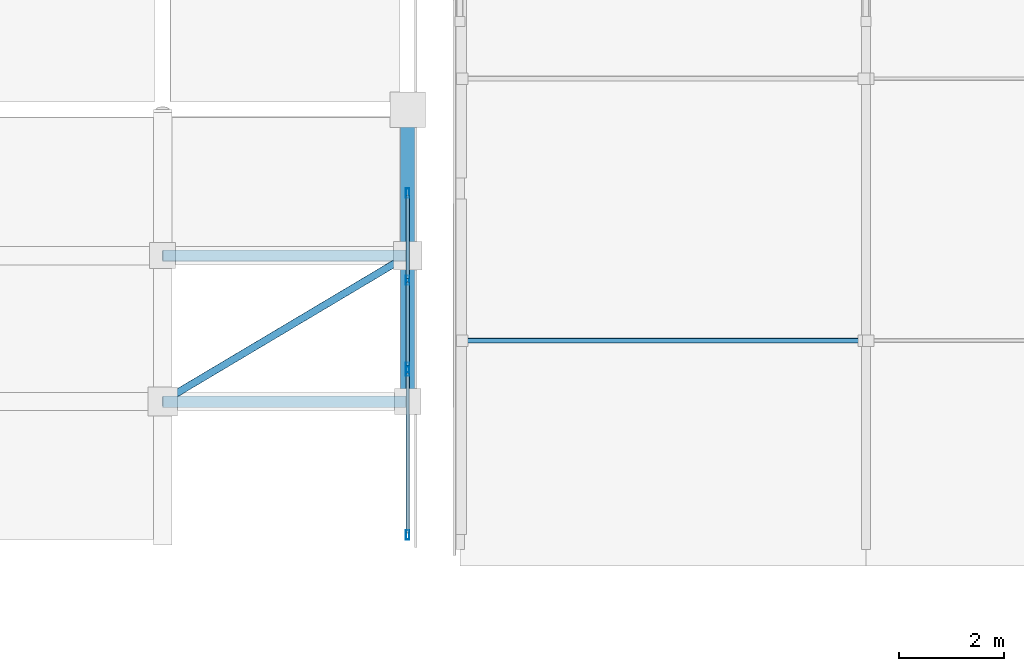
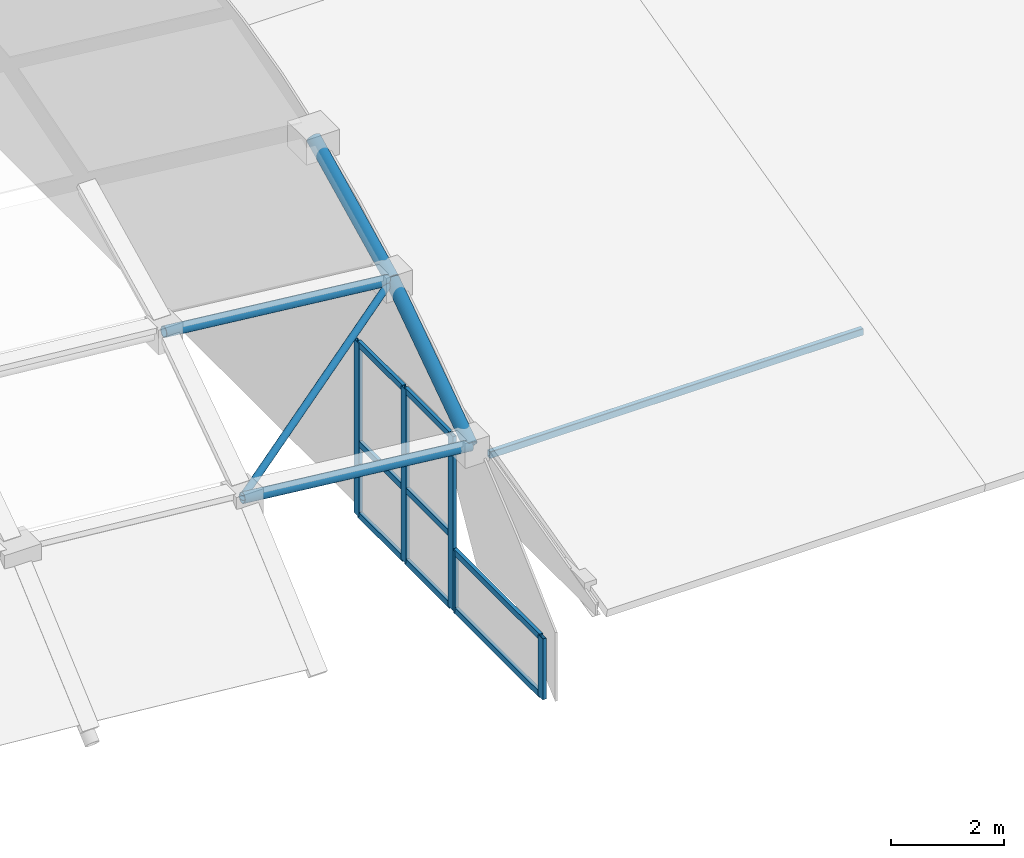
# One storey, part 29 of 65: 17 members, 2 beams, 2 elements without a shape of their own.
"""IFC4 building model written with IfcOpenShell, lengths in metres."""

from ifc_helpers import new_model, si_unit, direction, frame, origin, origin_2d, place, context, subcontext, project, spatial, hollow_rectangle, hollow_circle, extrude, material, layer, layer_set, material_profile, profile_set, type_object, element, aggregate, save


model = new_model("IFC4")

# Units and contexts
model_context = context("Model", 3, precision=1e-05, world=origin(), true_north=direction((0.0, 1.0)))
body_context = subcontext(model_context, "Body", "Model", "MODEL_VIEW")
ifc_project = project(units=[si_unit("LENGTHUNIT", "METRE"), si_unit("AREAUNIT", "SQUARE_METRE"), si_unit("VOLUMEUNIT", "CUBIC_METRE"), si_unit("PLANEANGLEUNIT", "RADIAN"), si_unit("MASSUNIT", "GRAM", prefix="KILO")], contexts=[model_context])

# Site, building, storey
site_placement = place(None, origin())
site = spatial("IfcSite", under=ifc_project, at=site_placement, CompositionType="ELEMENT")
building_placement = place(site_placement, origin())
building = spatial("IfcBuilding", under=site, at=building_placement, Name="Quillay Park Conservatory", CompositionType="ELEMENT")
storey_placement = place(building_placement, frame((0.0, 0.0, 14.10009765625)))
storey = spatial("IfcBuildingStorey", under=building, at=storey_placement, Name="L03", CompositionType="ELEMENT", Elevation=14.10009765625)

# Curtain wall, members
ifc_material_1 = material(Name="Thermally Broken Anodised Aluminium 6063-T6", Category="aluminium")
ifc_layer = layer(ifc_material_1, 0.219970703125)
ifc_layer_set = layer_set([ifc_layer], Name="UNITISED CURTAIN WALL CONSERVATORY (Thermally Broken Anodised Aluminium 6063-T6)")
curtain_wall_type = type_object("IfcCurtainWallType", Name="UNITISED CURTAIN WALL CONSERVATORY", PredefinedType="USERDEFINED", material=ifc_layer_set)
curtain_wall_1_placement = place(storey_placement, origin())
curtain_wall_1 = element("IfcCurtainWall", 1, at=curtain_wall_1_placement, inside=storey, type_object=curtain_wall_type, Name="L03 Unitised Curtain Wall 176", ObjectType="UNITISED CURTAIN WALL", PredefinedType="USERDEFINED")
ifc_material_2 = material(Name="Thermally Broken Anodised Aluminium 6063-T6", Category="aluminium")
ifc_material_profile_1 = material_profile(ifc_material_2, hollow_rectangle(XDim=0.070068359375, YDim=0.179931640625, WallThickness=0.00390625, at=origin_2d()), Name="AL70x180x4")
ifc_profile_set_1 = profile_set([ifc_material_profile_1], Name="Thermally Broken Anodised Aluminium 6063-T6")
member_type_1 = type_object("IfcMemberType", Name="CURTAIN WALL MULLION 70 X180", PredefinedType="MULLION", material=ifc_profile_set_1)
member_1_placement = place(storey_placement, frame((114.85009765625, 88.9150390625, -3.2001953125), z_axis=(0.0, 0.0, 1.0), x_axis=(1.0, 0.0, 0.0)))
member_1 = element("IfcMember", 2, at=member_1_placement, type_object=member_type_1, Name="CW-C1 mullion 1", PredefinedType="MULLION", context=body_context, shape_type="SweptSolid", body=[
    extrude(hollow_rectangle(XDim=0.070068359375, YDim=0.179931640625, WallThickness=0.00390625, at=origin_2d()), origin(), (0.0, 0.0, 1.0), 1.318115234375),
])
member_2_placement = place(storey_placement, frame((114.85009765625, 85.7900390625, -3.2001953125), z_axis=(0.0, 0.0, 1.0), x_axis=(1.0, 0.0, 0.0)))
member_2 = element("IfcMember", 3, at=member_2_placement, type_object=member_type_1, Name="CW-C1 mullion 2", PredefinedType="MULLION", context=body_context, shape_type="SweptSolid", body=[
    extrude(hollow_rectangle(XDim=0.070068359375, YDim=0.179931640625, WallThickness=0.00390625, at=origin_2d()), origin(), (0.0, 0.0, 1.0), 1.318115234375),
])

curtain_wall_2_placement = place(storey_placement, origin())
curtain_wall_2 = element("IfcCurtainWall", 4, at=curtain_wall_2_placement, inside=storey, type_object=curtain_wall_type, Name="L03 Unitised Curtain Wall 178", ObjectType="UNITISED CURTAIN WALL", PredefinedType="USERDEFINED")
member_3_placement = place(storey_placement, frame((114.85009765625, 92.31494140625, -3.2001953125), z_axis=(0.0, 0.0, 1.0), x_axis=(1.0, 0.0, 0.0)))
member_3 = element("IfcMember", 5, at=member_3_placement, type_object=member_type_1, Name="CW-C1 mullion 1", PredefinedType="MULLION", context=body_context, shape_type="SweptSolid", body=[
    extrude(hollow_rectangle(XDim=0.070068359375, YDim=0.179931640625, WallThickness=0.00390625, at=origin_2d()), origin(), (0.0, 0.0, 1.0), 3.76318359375),
])
member_4_placement = place(storey_placement, frame((114.85009765625, 90.64990234375, -3.2001953125), z_axis=(0.0, 0.0, 1.0), x_axis=(1.0, 0.0, 0.0)))
member_4 = element("IfcMember", 6, at=member_4_placement, type_object=member_type_1, Name="CW-C1 mullion 2", PredefinedType="MULLION", context=body_context, shape_type="SweptSolid", body=[
    extrude(hollow_rectangle(XDim=0.070068359375, YDim=0.179931640625, WallThickness=0.00390625, at=origin_2d()), origin(), (0.0, 0.0, 1.0), 3.76318359375),
])
member_5_placement = place(storey_placement, frame((114.85009765625, 88.985107421875, -3.2001953125), z_axis=(0.0, 0.0, 1.0), x_axis=(1.0, 0.0, 0.0)))
member_5 = element("IfcMember", 7, at=member_5_placement, type_object=member_type_1, Name="CW-C1 mullion 3", PredefinedType="MULLION", context=body_context, shape_type="SweptSolid", body=[
    extrude(hollow_rectangle(XDim=0.070068359375, YDim=0.179931640625, WallThickness=0.00390625, at=origin_2d()), origin(), (0.0, 0.0, 1.0), 3.76318359375),
])

# Member
ifc_material_3 = material(Name="Thermally Broken Anodised Aluminium 6063-T6", Category="aluminium")
ifc_material_profile_2 = material_profile(ifc_material_3, hollow_rectangle(XDim=0.070068359375, YDim=0.1298828125, WallThickness=0.003173828125, at=origin_2d()), Name="AL70x130x3.2")
ifc_profile_set_2 = profile_set([ifc_material_profile_2], Name="Thermally Broken Anodised Aluminium 6063-T6")
member_type_2 = type_object("IfcMemberType", Name="CURTAIN WALL TRANSOM 70 X130", PredefinedType="USERDEFINED", material=ifc_profile_set_2)
member_6_placement = place(storey_placement, frame((114.85009765625, 88.8798828125, -3.1650390625), z_axis=(0.0, -1.0, 0.0), x_axis=(1.0, 0.0, 0.0)))
member_6 = element("IfcMember", 8, at=member_6_placement, type_object=member_type_2, Name="CW-C1 transom 1.1", ObjectType="TRANSOM", PredefinedType="USERDEFINED", context=body_context, shape_type="SweptSolid", body=[
    extrude(hollow_rectangle(XDim=0.070068359375, YDim=0.1298828125, WallThickness=0.003173828125, at=origin_2d()), origin(), (0.0, 0.0, 1.0), 3.054931640625),
])

member_7_placement = place(storey_placement, frame((114.85009765625, 88.8798828125, -1.917236328125), z_axis=(0.0, -1.0, 0.0), x_axis=(1.0, 0.0, 0.0)))
member_7 = element("IfcMember", 9, at=member_7_placement, type_object=member_type_2, Name="CW-C1 transom 1.2", ObjectType="TRANSOM", PredefinedType="USERDEFINED", context=body_context, shape_type="SweptSolid", body=[
    extrude(hollow_rectangle(XDim=0.070068359375, YDim=0.1298828125, WallThickness=0.003173828125, at=origin_2d()), origin(), (0.0, 0.0, 1.0), 3.054931640625),
])

aggregate(curtain_wall_1, [member_1, member_2, member_6, member_7])

member_8_placement = place(storey_placement, frame((114.85009765625, 92.280029296875, -3.1650390625), z_axis=(0.0, -1.0, 0.0), x_axis=(1.0, 0.0, 0.0)))
member_8 = element("IfcMember", 10, at=member_8_placement, type_object=member_type_2, Name="CW-C1 transom 1.1", ObjectType="TRANSOM", PredefinedType="USERDEFINED", context=body_context, shape_type="SweptSolid", body=[
    extrude(hollow_rectangle(XDim=0.070068359375, YDim=0.1298828125, WallThickness=0.003173828125, at=origin_2d()), origin(), (0.0, 0.0, 1.0), 1.594970703125),
])

member_9_placement = place(storey_placement, frame((114.85009765625, 92.280029296875, -1.61962890625), z_axis=(0.0, -1.0, 0.0), x_axis=(1.0, 0.0, 0.0)))
member_9 = element("IfcMember", 11, at=member_9_placement, type_object=member_type_2, Name="CW-C1 transom 1.2", ObjectType="TRANSOM", PredefinedType="USERDEFINED", context=body_context, shape_type="SweptSolid", body=[
    extrude(hollow_rectangle(XDim=0.070068359375, YDim=0.1298828125, WallThickness=0.003173828125, at=origin_2d()), origin(), (0.0, 0.0, 1.0), 1.594970703125),
])

member_10_placement = place(storey_placement, frame((114.85009765625, 92.280029296875, 0.528076171875), z_axis=(0.0, -1.0, 0.0), x_axis=(1.0, 0.0, 0.0)))
member_10 = element("IfcMember", 12, at=member_10_placement, type_object=member_type_2, Name="CW-C1 transom 1.3", ObjectType="TRANSOM", PredefinedType="USERDEFINED", context=body_context, shape_type="SweptSolid", body=[
    extrude(hollow_rectangle(XDim=0.070068359375, YDim=0.1298828125, WallThickness=0.003173828125, at=origin_2d()), origin(), (0.0, 0.0, 1.0), 1.594970703125),
])

member_11_placement = place(storey_placement, frame((114.85009765625, 90.614990234375, -3.1650390625), z_axis=(0.0, -1.0, 0.0), x_axis=(1.0, 0.0, 0.0)))
member_11 = element("IfcMember", 13, at=member_11_placement, type_object=member_type_2, Name="CW-C1 transom 2.1", ObjectType="TRANSOM", PredefinedType="USERDEFINED", context=body_context, shape_type="SweptSolid", body=[
    extrude(hollow_rectangle(XDim=0.070068359375, YDim=0.1298828125, WallThickness=0.003173828125, at=origin_2d()), origin(), (0.0, 0.0, 1.0), 1.594970703125),
])

member_12_placement = place(storey_placement, frame((114.85009765625, 90.614990234375, -1.61962890625), z_axis=(0.0, -1.0, 0.0), x_axis=(1.0, 0.0, 0.0)))
member_12 = element("IfcMember", 14, at=member_12_placement, type_object=member_type_2, Name="CW-C1 transom 2.2", ObjectType="TRANSOM", PredefinedType="USERDEFINED", context=body_context, shape_type="SweptSolid", body=[
    extrude(hollow_rectangle(XDim=0.070068359375, YDim=0.1298828125, WallThickness=0.003173828125, at=origin_2d()), origin(), (0.0, 0.0, 1.0), 1.594970703125),
])

member_13_placement = place(storey_placement, frame((114.85009765625, 90.614990234375, 0.528076171875), z_axis=(0.0, -1.0, 0.0), x_axis=(1.0, 0.0, 0.0)))
member_13 = element("IfcMember", 15, at=member_13_placement, type_object=member_type_2, Name="CW-C1 transom 2.3", ObjectType="TRANSOM", PredefinedType="USERDEFINED", context=body_context, shape_type="SweptSolid", body=[
    extrude(hollow_rectangle(XDim=0.070068359375, YDim=0.1298828125, WallThickness=0.003173828125, at=origin_2d()), origin(), (0.0, 0.0, 1.0), 1.594970703125),
])

aggregate(curtain_wall_2, [member_3, member_4, member_5, member_8, member_9, member_10, member_11, member_12, member_13])

# Beams
ifc_material_4 = material(Name="Steel S355J2H", Category="steel")
ifc_material_profile_3 = material_profile(ifc_material_4, hollow_circle(Radius=0.136474609375, WallThickness=0.012451171875, at=origin_2d()), Name="CHS273x12.5")
ifc_profile_set_3 = profile_set([ifc_material_profile_3], Name="Steel S355J2H")
beam_type = type_object("IfcBeamType", Name="GRIDSHELL ARCH BEAM CHS273", PredefinedType="USERDEFINED", material=ifc_profile_set_3)
beam_1_placement = place(storey_placement, frame((114.85009765625, 88.3349609375, 0.711181640625), z_axis=(0.0, 0.824682609274, 0.565595786725), x_axis=(-1.0, 0.0, 0.0)))
element("IfcBeam", 16, at=beam_1_placement, inside=storey, type_object=beam_type, Name="Gridshell member GS-ARCH-18-01", ObjectType="GRIDSHELL ARCH BEAM", PredefinedType="USERDEFINED", context=body_context, shape_type="SweptSolid", body=[
    extrude(hollow_circle(Radius=0.136474609375, WallThickness=0.012451171875, at=origin_2d()), origin(), (0.0, 0.0, 1.0), 3.377197265625),
])
beam_2_placement = place(storey_placement, frame((114.85009765625, 91.1201171875, 2.621337890625), z_axis=(0.0, 0.897163004175, 0.441699608262), x_axis=(-1.0, 0.0, 0.0)))
element("IfcBeam", 17, at=beam_2_placement, inside=storey, type_object=beam_type, Name="Gridshell member GS-ARCH-18-02", ObjectType="GRIDSHELL ARCH BEAM", PredefinedType="USERDEFINED", context=body_context, shape_type="SweptSolid", body=[
    extrude(hollow_circle(Radius=0.136474609375, WallThickness=0.012451171875, at=origin_2d()), origin(), (0.0, 0.0, 1.0), 3.104248046875),
])

# Members
ifc_material_5 = material(Name="Steel S355J2H", Category="steel")
ifc_material_profile_4 = material_profile(ifc_material_5, hollow_circle(Radius=0.109619140625, WallThickness=0.010009765625, at=origin_2d()), Name="CHS219.1x10")
ifc_profile_set_4 = profile_set([ifc_material_profile_4], Name="Steel S355J2H")
member_type_3 = type_object("IfcMemberType", Name="GRIDSHELL ARCH RIB CHS219", PredefinedType="USERDEFINED", material=ifc_profile_set_4)
for number, where, z_axis, x_axis, name in (
    (18, (110.172119140625, 88.3349609375, 1.207275390625), (0.994423821707, 0.0, -0.105457398137), (0.0, 1.0, 0.0), "Gridshell member GS-RIB-17-01"),
    (19, (110.172119140625, 91.1201171875, 3.117431640625), (0.994423821707, 0.0, -0.105457398137), (0.0, 1.0, 0.0), "Gridshell member GS-RIB-17-02"),
):
    element("IfcMember", number, at=place(storey_placement, frame(where, z_axis=z_axis, x_axis=x_axis)), inside=storey, type_object=member_type_3, Name=name, ObjectType="GRIDSHELL ARCH RIB", PredefinedType="USERDEFINED", context=body_context, shape_type="SweptSolid", body=[
        extrude(hollow_circle(Radius=0.109619140625, WallThickness=0.010009765625, at=origin_2d()), origin(), (0.0, 0.0, 1.0), 4.7041015625),
    ])
ifc_material_6 = material(Name="Steel S355J2H", Category="steel")
ifc_material_profile_5 = material_profile(ifc_material_6, hollow_circle(Radius=0.06982421875, WallThickness=0.00634765625, at=origin_2d()), Name="CHS139.7x6.3")
ifc_profile_set_5 = profile_set([ifc_material_profile_5], Name="Steel S355J2H")
member_type_4 = type_object("IfcMemberType", Name="GRIDSHELL DIAGRID BRACE CHS140", PredefinedType="BRACE", material=ifc_profile_set_5)
member_14_placement = place(storey_placement, frame((110.172119140625, 88.3349609375, 1.207275390625), z_axis=(0.831646853269, 0.495142597051, 0.251390771574), x_axis=(-0.511571366138, 0.85924079125, 0.0)))
element("IfcMember", 20, at=member_14_placement, inside=storey, type_object=member_type_4, Name="Gridshell member GS-DIAG-17-01", PredefinedType="BRACE", context=body_context, shape_type="SweptSolid", body=[
    extrude(hollow_circle(Radius=0.06982421875, WallThickness=0.00634765625, at=origin_2d()), origin(), (0.0, 0.0, 1.0), 5.625),
])
ifc_material_7 = material(Name="Steel S355J2H", Category="steel")
ifc_material_profile_6 = material_profile(ifc_material_7, hollow_rectangle(XDim=0.10009765625, YDim=0.14990234375, WallThickness=0.00634765625, InnerFilletRadius=0.00634765625, OuterFilletRadius=0.011962890625, at=origin_2d()), Name="RHS150x100x6.3")
ifc_profile_set_6 = profile_set([ifc_material_profile_6], Name="Steel S355J2H")
member_type_5 = type_object("IfcMemberType", Name="ROOF GLAZING PURLIN RHS150", PredefinedType="PURLIN", material=ifc_profile_set_6)
member_15_placement = place(storey_placement, frame((115.89990234375, 89.5, -0.558349609375), z_axis=(1.0, 0.0, 0.0), x_axis=(0.0, 1.0, 0.0)))
element("IfcMember", 21, at=member_15_placement, inside=storey, type_object=member_type_5, Name="Gridshell member AUD-PUR-1-89", PredefinedType="PURLIN", context=body_context, shape_type="SweptSolid", body=[
    extrude(hollow_rectangle(XDim=0.10009765625, YDim=0.14990234375, WallThickness=0.00634765625, InnerFilletRadius=0.00634765625, OuterFilletRadius=0.011962890625, at=origin_2d()), origin(), (0.0, 0.0, 1.0), 7.650146484375),
])

save(model, "model.ifc")
